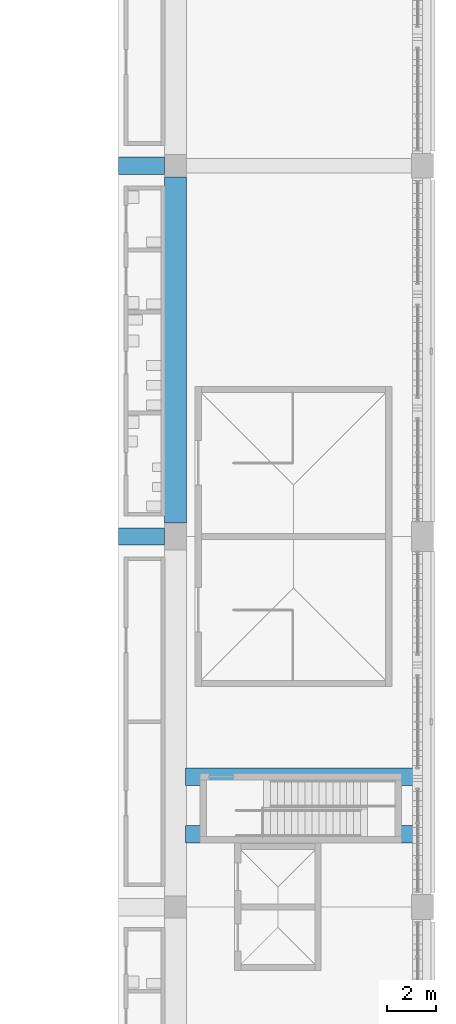
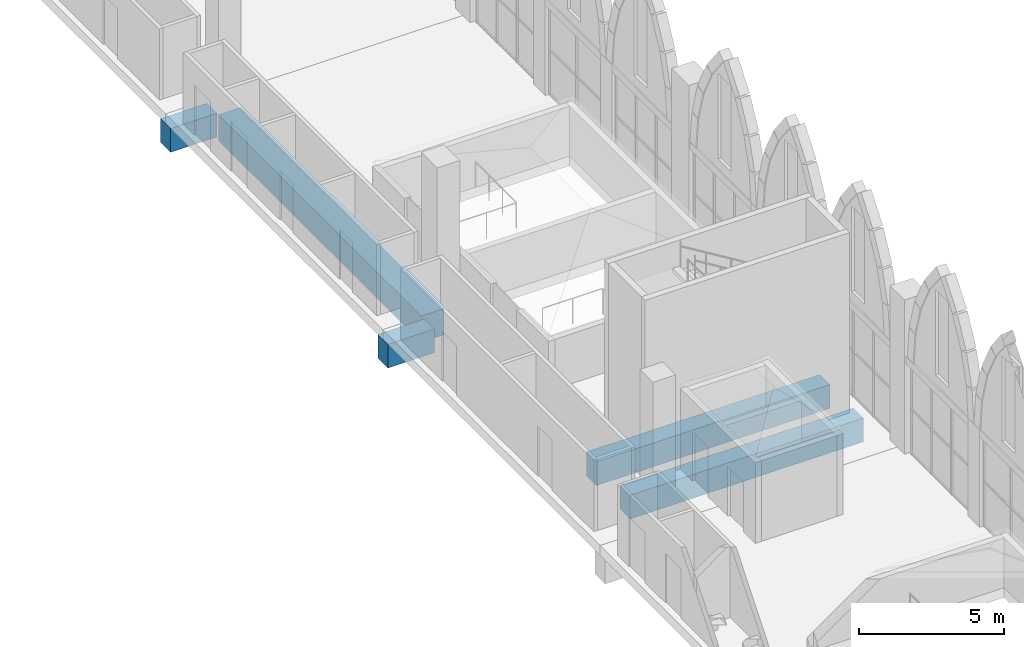
# One storey, part 26 of 130: 5 beams.
"""IFC4 building model written with IfcOpenShell, lengths in metres."""

from ifc_helpers import new_model, si_unit, direction, frame, origin, origin_2d, place, context, subcontext, project, spatial, rectangle, extrude, material, material_profile, profile_set, type_object, element, save


model = new_model("IFC4")

# Units and contexts
model_context = context("Model", 3, precision=1e-05, world=origin(), true_north=direction((0.0, 1.0)))
body_context = subcontext(model_context, "Body", "Model", "MODEL_VIEW")
ifc_project = project(units=[si_unit("LENGTHUNIT", "METRE"), si_unit("AREAUNIT", "SQUARE_METRE"), si_unit("VOLUMEUNIT", "CUBIC_METRE"), si_unit("PLANEANGLEUNIT", "RADIAN"), si_unit("MASSUNIT", "GRAM", prefix="KILO")], contexts=[model_context])

# Site, building, storey
site_placement = place(None, origin())
site = spatial("IfcSite", under=ifc_project, at=site_placement, CompositionType="ELEMENT")
building_placement = place(site_placement, origin())
building = spatial("IfcBuilding", under=site, at=building_placement, Name="Ogive Plaza Stadium", CompositionType="ELEMENT")
storey_placement = place(building_placement, frame((0.0, 0.0, 22.5)))
storey = spatial("IfcBuildingStorey", under=building, at=storey_placement, Name="L05", CompositionType="ELEMENT", Elevation=22.5)

# Beams
ifc_material_1 = material(Name="Concrete C40/50", Category="concrete")
ifc_material_profile_1 = material_profile(ifc_material_1, rectangle(XDim=0.699951171875, YDim=1.0, at=origin_2d()), Name="RC 700x1000")
ifc_profile_set_1 = profile_set([ifc_material_profile_1], Name="Concrete C40/50")
beam_type_1 = type_object("IfcBeamType", Name="RC radial beam 700x1000", PredefinedType="BEAM", material=ifc_profile_set_1)
for number, where, z_axis, x_axis, name in (
    (1, (71.699951171875, 22.5, -0.909912109375), (1.0, 0.0, 0.0), (0.0, 1.0, 0.0), "Raker tail beam UT R03"),
    (2, (71.699951171875, 7.5, -0.909912109375), (1.0, 0.0, 0.0), (0.0, 1.0, 0.0), "Raker tail beam UT R04"),
):
    element("IfcBeam", number, at=place(storey_placement, frame(where, z_axis=z_axis, x_axis=x_axis)), inside=storey, type_object=beam_type_1, Name=name, PredefinedType="BEAM", context=body_context, shape_type="SweptSolid", body=[
        extrude(rectangle(XDim=0.699951171875, YDim=1.0, at=origin_2d()), origin(), (0.0, 0.0, 1.0), 1.85009765625),
    ])
for number, where, z_axis, x_axis, name in (
    (3, (74.39990234375, -4.550048828125, -0.909912109375), (1.0, 0.0, 0.0), (0.0, 1.0, 0.0), "Roof access stair RA1 support beam S"),
    (4, (74.39990234375, -2.22509765625, -0.909912109375), (1.0, 0.0, 0.0), (0.0, 1.0, 0.0), "Roof access stair RA1 support beam N"),
):
    element("IfcBeam", number, at=place(storey_placement, frame(where, z_axis=z_axis, x_axis=x_axis)), inside=storey, type_object=beam_type_1, Name=name, PredefinedType="BEAM", context=body_context, shape_type="SweptSolid", body=[
        extrude(rectangle(XDim=0.699951171875, YDim=1.0, at=origin_2d()), origin(), (0.0, 0.0, 1.0), 9.300048828125),
    ])
ifc_material_2 = material(Name="Concrete C40/50", Category="concrete")
ifc_material_profile_2 = material_profile(ifc_material_2, rectangle(XDim=0.89990234375, YDim=1.10009765625, at=origin_2d()), Name="RC 900x1100")
ifc_profile_set_2 = profile_set([ifc_material_profile_2], Name="Concrete C40/50")
beam_type_2 = type_object("IfcBeamType", Name="RC ring beam 900x1100", PredefinedType="BEAM", material=ifc_profile_set_2)
beam_placement = place(storey_placement, frame((74.0, 22.050048828125, -0.9599609375), z_axis=(0.0, -1.0, 0.0), x_axis=(1.0, 0.0, 0.0)))
element("IfcBeam", 5, at=beam_placement, inside=storey, type_object=beam_type_2, Name="Ring beam F4 L05 B03", PredefinedType="BEAM", context=body_context, shape_type="SweptSolid", body=[
    extrude(rectangle(XDim=0.89990234375, YDim=1.10009765625, at=origin_2d()), origin(), (0.0, 0.0, 1.0), 14.0),
])

save(model, "model.ifc")
